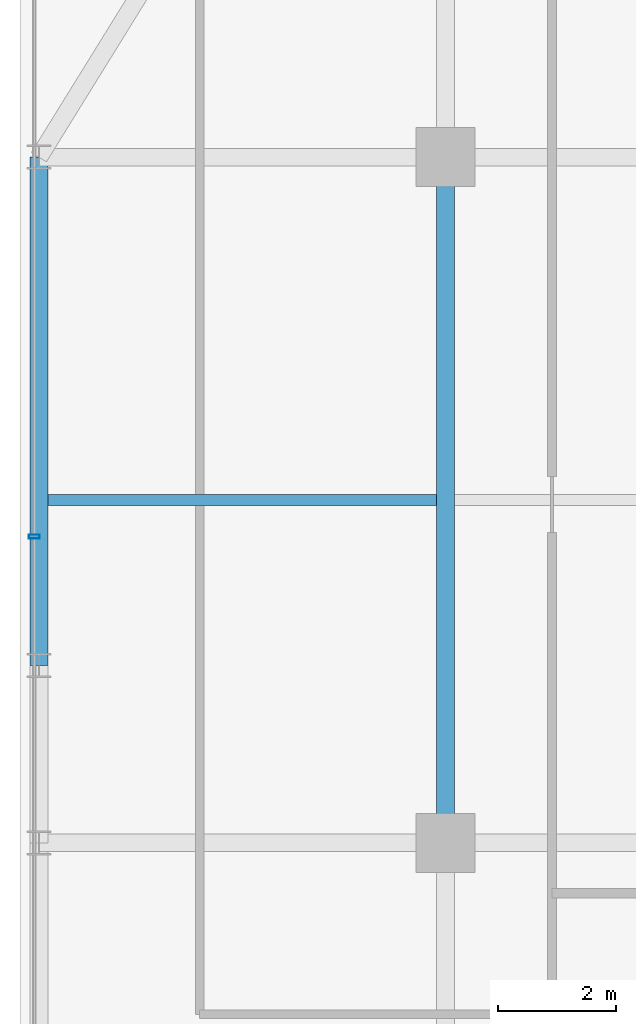
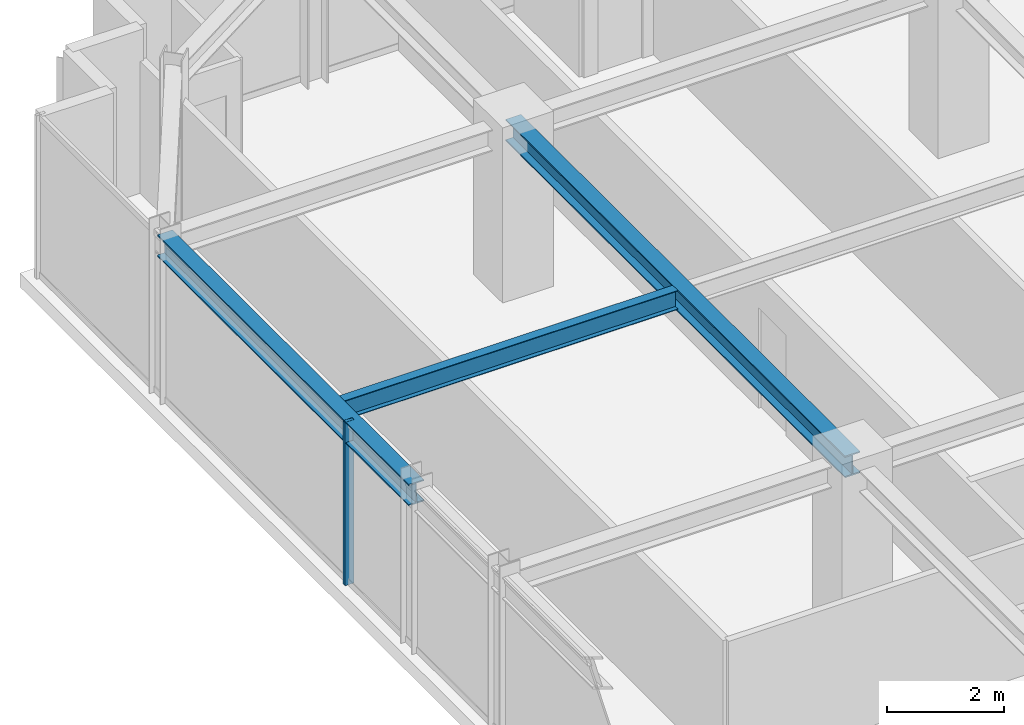
# One storey, part 18 of 43: 3 beams, 1 member, 1 element without a shape of its own.
"""IFC4 building model written with IfcOpenShell, lengths in metres."""

from ifc_helpers import new_model, si_unit, direction, frame, origin, origin_2d, place, context, subcontext, project, spatial, hollow_rectangle, i_section, extrude, source, transform, mapped, material, material_profile, profile_set, type_object, element, aggregate, save


model = new_model("IFC4")

# Units and contexts
model_context = context("Model", 3, precision=1e-05, world=origin(), true_north=direction((0.0, 1.0)))
body_context = subcontext(model_context, "Body", "Model", "MODEL_VIEW")
ifc_project = project(units=[si_unit("LENGTHUNIT", "METRE"), si_unit("AREAUNIT", "SQUARE_METRE"), si_unit("VOLUMEUNIT", "CUBIC_METRE"), si_unit("PLANEANGLEUNIT", "RADIAN"), si_unit("MASSUNIT", "GRAM", prefix="KILO")], contexts=[model_context])

# Site, building, storey
site_placement = place(None, origin())
site = spatial("IfcSite", under=ifc_project, at=site_placement, CompositionType="ELEMENT")
building_placement = place(site_placement, origin())
building = spatial("IfcBuilding", under=site, at=building_placement, Name="Nahalor Promenade Grand Hotel", CompositionType="ELEMENT")
storey_placement = place(building_placement, frame((0.0, 0.0, 204.89990234375)))
storey = spatial("IfcBuildingStorey", under=building, at=storey_placement, Name="L52", CompositionType="ELEMENT", Elevation=204.89990234375)

# Beams
ifc_material_1 = material(Name="Steel S355JR", Category="steel")
ifc_material_profile_1 = material_profile(ifc_material_1, i_section(OverallWidth=0.3, OverallDepth=0.45, WebThickness=0.014, FlangeThickness=0.026, at=origin_2d()), Name="HEB 450")
ifc_profile_set_1 = profile_set([ifc_material_profile_1], Name="Steel S355JR")
beam_type_1 = type_object("IfcBeamType", Name="Beam-Spandrel-HEB450", PredefinedType="SPANDREL", material=ifc_profile_set_1)
shared_shape_1 = source(origin(), body_context, "Body", "SweptSolid", [
    extrude(i_section(OverallWidth=0.3, OverallDepth=0.45, WebThickness=0.014, FlangeThickness=0.026, at=origin_2d()), origin(), (0.0, 0.0, 1.0), 8.60009765625),
])
beam_1_placement = place(storey_placement, frame((-23.8798828125, 8.39990234375, 3.18505859375), z_axis=(0.0, 1.0, 0.0), x_axis=(-1.0, 0.0, 0.0)))
element("IfcBeam", 1, at=beam_1_placement, inside=storey, type_object=beam_type_1, Name="BM-L52-SP-W-4", PredefinedType="SPANDREL", context=body_context, shape_type="MappedRepresentation", body=[
    mapped(shared_shape_1, transform((0.0, 0.0, 0.0), scale=1.0)),
])
ifc_material_profile_2 = material_profile(ifc_material_1, i_section(OverallWidth=0.3, OverallDepth=0.45, WebThickness=0.014, FlangeThickness=0.026, at=origin_2d()), Name="HEB 450")
ifc_profile_set_2 = profile_set([ifc_material_profile_2], Name="Steel S355JR")
beam_type_2 = type_object("IfcBeamType", Name="Beam-Girder-HEB450", PredefinedType="BEAM", material=ifc_profile_set_2)
shared_shape_2 = source(origin(), body_context, "Body", "SweptSolid", [
    extrude(i_section(OverallWidth=0.3, OverallDepth=0.45, WebThickness=0.014, FlangeThickness=0.026, at=origin_2d()), origin(), (0.0, 0.0, 1.0), 11.60009765625),
])
beam_2_placement = place(storey_placement, frame((-17.0, 5.39990234375, 3.18505859375), z_axis=(0.0, 1.0, 0.0), x_axis=(-1.0, 0.0, 0.0)))
element("IfcBeam", 2, at=beam_2_placement, inside=storey, type_object=beam_type_2, Name="BM-L52-GY-0-3", PredefinedType="BEAM", context=body_context, shape_type="MappedRepresentation", body=[
    mapped(shared_shape_2, transform((0.0, 0.0, 0.0), scale=1.0)),
])
ifc_material_profile_3 = material_profile(ifc_material_1, i_section(OverallWidth=0.18, OverallDepth=0.4, WebThickness=0.0086, FlangeThickness=0.0135, at=origin_2d()), Name="IPE 400")
ifc_profile_set_3 = profile_set([ifc_material_profile_3], Name="Steel S355JR")
beam_type_3 = type_object("IfcBeamType", Name="Beam-Joist-IPE400", PredefinedType="JOIST", material=ifc_profile_set_3)
shared_shape_3 = source(origin(), body_context, "Body", "SweptSolid", [
    extrude(i_section(OverallWidth=0.18, OverallDepth=0.4, WebThickness=0.0086, FlangeThickness=0.0135, at=origin_2d()), origin(), (0.0, 0.0, 1.0), 6.580078125),
])
beam_3_placement = place(storey_placement, frame((-23.72998046875, 11.199951171875, 3.210205078125), z_axis=(1.0, 0.0, 0.0), x_axis=(0.0, 1.0, 0.0)))
element("IfcBeam", 3, at=beam_3_placement, inside=storey, type_object=beam_type_3, Name="BM-L52-JSW-1-0", PredefinedType="JOIST", context=body_context, shape_type="MappedRepresentation", body=[
    mapped(shared_shape_3, transform((0.0, 0.0, 0.0), scale=1.0)),
])

# Curtain wall, member
ifc_material_2 = material(Name="Anodised Bronze Aluminium EN AW-6063 T6", Category="aluminium")
curtain_wall_type = type_object("IfcCurtainWallType", Name="CW2 Typical Hotel Flush Bronze Unitised Curtain Wall", PredefinedType="USERDEFINED", material=ifc_material_2)
curtain_wall_placement = place(storey_placement, origin())
curtain_wall = element("IfcCurtainWall", 4, at=curtain_wall_placement, inside=storey, type_object=curtain_wall_type, Name="L52 Curtain Wall CW-L52-W-1", ObjectType="UNITISED_CURTAIN_WALL", PredefinedType="USERDEFINED")
ifc_material_profile_4 = material_profile(ifc_material_2, hollow_rectangle(XDim=0.065, YDim=0.18, WallThickness=0.004, at=origin_2d()), Name="CWM 65x180x4")
ifc_profile_set_4 = profile_set([ifc_material_profile_4], Name="Anodised Bronze Aluminium EN AW-6063 T6")
member_type = type_object("IfcMemberType", Name="CWM2 Typical Bronze Mullion 65x180", PredefinedType="MULLION", material=ifc_profile_set_4)
shared_shape_4 = source(origin(), body_context, "Body", "SweptSolid", [
    extrude(hollow_rectangle(XDim=0.065, YDim=0.18, WallThickness=0.004, at=origin_2d()), origin(), (0.0, 0.0, 1.0), 3.41015625),
])
member_placement = place(storey_placement, frame((-23.9599609375, 10.580078125, 0.0), z_axis=(0.0, 0.0, 1.0), x_axis=(0.0, 1.0, 0.0)))
member = element("IfcMember", 5, at=member_placement, type_object=member_type, Name="CW-L52-W-1 Mullion 3", PredefinedType="MULLION", context=body_context, shape_type="MappedRepresentation", body=[
    mapped(shared_shape_4, transform((0.0, 0.0, 0.0), scale=1.0)),
])
aggregate(curtain_wall, [member])

save(model, "model.ifc")
